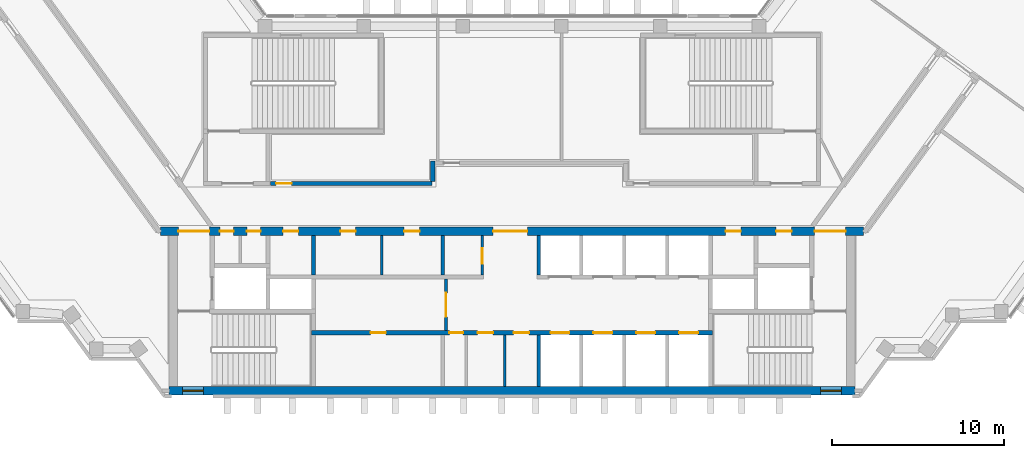
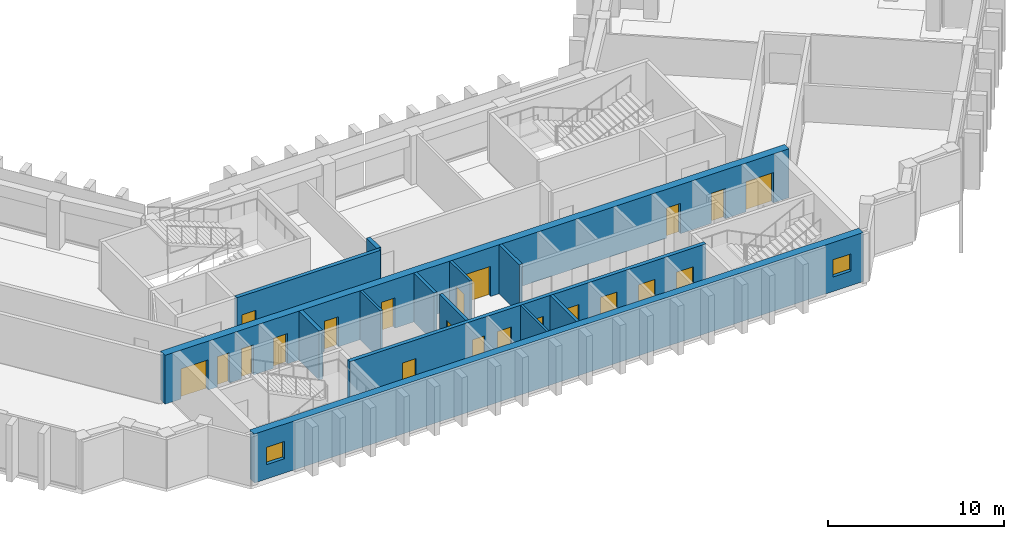
# One storey, part 5 of 9: 21 doors, 13 walls, 2 windows, 23 openings.
"""IFC4 building model written with IfcOpenShell, lengths in metres."""

from ifc_helpers import new_model, si_unit, direction, frame, frame_2d, origin, place, context, subcontext, project, spatial, rectangle, extrude, material, layer, layer_set, type_object, element, fill, save


model = new_model("IFC4")

# Units and contexts
model_context = context("Model", 3, precision=1e-05, world=origin(), true_north=direction((0.0, 1.0)))
body_context = subcontext(model_context, "Body", "Model", "MODEL_VIEW")
ifc_project = project(units=[si_unit("LENGTHUNIT", "METRE"), si_unit("AREAUNIT", "SQUARE_METRE"), si_unit("VOLUMEUNIT", "CUBIC_METRE"), si_unit("PLANEANGLEUNIT", "RADIAN"), si_unit("MASSUNIT", "GRAM", prefix="KILO")], contexts=[model_context])

# Site, building, storey
site_placement = place(None, origin())
site = spatial("IfcSite", under=ifc_project, at=site_placement, CompositionType="ELEMENT")
building_placement = place(site_placement, origin())
building = spatial("IfcBuilding", under=site, at=building_placement, Name="Quipu Civic Tower", CompositionType="ELEMENT")
storey_placement = place(building_placement, frame((0.0, 0.0, 238.0)))
storey = spatial("IfcBuildingStorey", under=building, at=storey_placement, Name="L56", CompositionType="ELEMENT", Elevation=238.0)

# Wall, openings, doors
ifc_material_1 = material(Name="Concrete C70/85", Category="concrete")
ifc_layer_1 = layer(ifc_material_1, 0.25)
ifc_layer_set_1 = layer_set([ifc_layer_1], Name="Concrete C70/85")
wall_type_1 = type_object("IfcWallType", Name="Core wall 250", PredefinedType="SHEAR", material=ifc_layer_set_1)
wall_1_placement = place(storey_placement, frame((11.699951171875, -7.375, 0.0), z_axis=(0.0, 0.0, 1.0), x_axis=(-1.0, 0.0, 0.0)))
wall_1 = element("IfcWall", 1, at=wall_1_placement, inside=storey, type_object=wall_type_1, Name="Core wall", PredefinedType="SHEAR", context=body_context, shape_type="SweptSolid", body=[
    extrude(rectangle(XDim=23.39990234375, YDim=0.25, at=frame_2d((11.699951171875, 0.0))), origin(), (0.0, 0.0, 1.0), 3.39990234375),
])
opening_1_placement = place(wall_1_placement, frame((19.050048828125, 0.0, 0.0)))
opening_1 = element("IfcOpeningElement", 2, at=opening_1_placement, cuts=wall_1, Name="Opening CD-01", PredefinedType="OPENING", context=body_context, shape_type="SweptSolid", body=[
    extrude(rectangle(XDim=0.89990234375, YDim=2.10009765625, at=frame_2d((0.449951171875, 1.050048828125))), frame((0.0, 0.135009765625, 0.0), z_axis=(0.0, -1.0, 0.0), x_axis=(1.0, 0.0, 0.0)), (0.0, 0.0, 1.0), 0.27001953125),
])
opening_2_placement = place(wall_1_placement, frame((14.550048828125, 0.0, 0.0)))
opening_2 = element("IfcOpeningElement", 3, at=opening_2_placement, cuts=wall_1, Name="Opening CD-02", PredefinedType="OPENING", context=body_context, shape_type="SweptSolid", body=[
    extrude(rectangle(XDim=0.800048828125, YDim=2.10009765625, at=frame_2d((0.39990234375, 1.050048828125))), frame((0.0, 0.135009765625, 0.0), z_axis=(0.0, -1.0, 0.0), x_axis=(1.0, 0.0, 0.0)), (0.0, 0.0, 1.0), 0.27001953125),
])
opening_3_placement = place(wall_1_placement, frame((12.800048828125, 0.0, 0.0)))
opening_3 = element("IfcOpeningElement", 4, at=opening_3_placement, cuts=wall_1, Name="Opening CD-03", PredefinedType="OPENING", context=body_context, shape_type="SweptSolid", body=[
    extrude(rectangle(XDim=0.89990234375, YDim=2.10009765625, at=frame_2d((0.449951171875, 1.050048828125))), frame((0.0, 0.135009765625, 0.0), z_axis=(0.0, -1.0, 0.0), x_axis=(1.0, 0.0, 0.0)), (0.0, 0.0, 1.0), 0.27001953125),
])
opening_4_placement = place(wall_1_placement, frame((10.699951171875, 0.0, 0.0)))
opening_4 = element("IfcOpeningElement", 5, at=opening_4_placement, cuts=wall_1, Name="Opening CD-04", PredefinedType="OPENING", context=body_context, shape_type="SweptSolid", body=[
    extrude(rectangle(XDim=0.89990234375, YDim=2.10009765625, at=frame_2d((0.449951171875, 1.050048828125))), frame((0.0, 0.135009765625, 0.0), z_axis=(0.0, -1.0, 0.0), x_axis=(1.0, 0.0, 0.0)), (0.0, 0.0, 1.0), 0.27001953125),
])
opening_5_placement = place(wall_1_placement, frame((8.35009765625, 0.0, 0.0)))
opening_5 = element("IfcOpeningElement", 6, at=opening_5_placement, cuts=wall_1, Name="Opening LD-ML1", PredefinedType="OPENING", context=body_context, shape_type="SweptSolid", body=[
    extrude(rectangle(XDim=1.10009765625, YDim=2.10009765625, at=frame_2d((0.550048828125, 1.050048828125))), frame((0.0, 0.135009765625, 0.0), z_axis=(0.0, -1.0, 0.0), x_axis=(1.0, 0.0, 0.0)), (0.0, 0.0, 1.0), 0.27001953125),
])
opening_6_placement = place(wall_1_placement, frame((5.85009765625, 0.0, 0.0)))
opening_6 = element("IfcOpeningElement", 7, at=opening_6_placement, cuts=wall_1, Name="Opening LD-ML2", PredefinedType="OPENING", context=body_context, shape_type="SweptSolid", body=[
    extrude(rectangle(XDim=1.10009765625, YDim=2.10009765625, at=frame_2d((0.550048828125, 1.050048828125))), frame((0.0, 0.135009765625, 0.0), z_axis=(0.0, -1.0, 0.0), x_axis=(1.0, 0.0, 0.0)), (0.0, 0.0, 1.0), 0.27001953125),
])
opening_7_placement = place(wall_1_placement, frame((3.35009765625, 0.0, 0.0)))
opening_7 = element("IfcOpeningElement", 8, at=opening_7_placement, cuts=wall_1, Name="Opening LD-ML3", PredefinedType="OPENING", context=body_context, shape_type="SweptSolid", body=[
    extrude(rectangle(XDim=1.10009765625, YDim=2.10009765625, at=frame_2d((0.550048828125, 1.050048828125))), frame((0.0, 0.135009765625, 0.0), z_axis=(0.0, -1.0, 0.0), x_axis=(1.0, 0.0, 0.0)), (0.0, 0.0, 1.0), 0.27001953125),
])
opening_8_placement = place(wall_1_placement, frame((0.85009765625, 0.0, 0.0)))
opening_8 = element("IfcOpeningElement", 9, at=opening_8_placement, cuts=wall_1, Name="Opening LD-ML4", PredefinedType="OPENING", context=body_context, shape_type="SweptSolid", body=[
    extrude(rectangle(XDim=1.10009765625, YDim=2.10009765625, at=frame_2d((0.550048828125, 1.050048828125))), frame((0.0, 0.135009765625, 0.0), z_axis=(0.0, -1.0, 0.0), x_axis=(1.0, 0.0, 0.0)), (0.0, 0.0, 1.0), 0.27001953125),
])
ifc_material_2 = material(Name="Fire rated steel door", Category="steel")
door_type_1 = type_object("IfcDoorType", Name="Fire door FD60 800 x 2100", OperationType="NOTDEFINED", PredefinedType="DOOR", material=ifc_material_2)
door_1_placement = place(opening_2_placement, origin())
door_1 = element("IfcDoor", 10, at=door_1_placement, inside=storey, type_object=door_type_1, Name="Door", OperationType="SINGLE_SWING_RIGHT", OverallHeight=2.10009765625, OverallWidth=0.800048828125, PredefinedType="DOOR", context=body_context, shape_type="SweptSolid", body=[
    extrude(rectangle(XDim=0.800048828125, YDim=2.10009765625, at=frame_2d((0.39990234375, 1.050048828125))), frame((0.0, 0.02490234375, 0.0), z_axis=(0.0, -1.0, 0.0), x_axis=(1.0, 0.0, 0.0)), (0.0, 0.0, 1.0), 0.050048828125),
])
fill(opening_2, door_1)
ifc_material_3 = material(Name="Fire rated steel door", Category="steel")
door_type_2 = type_object("IfcDoorType", Name="Fire door FD60 900 x 2100", OperationType="NOTDEFINED", PredefinedType="DOOR", material=ifc_material_3)
door_2_placement = place(opening_1_placement, origin())
door_2 = element("IfcDoor", 11, at=door_2_placement, inside=storey, type_object=door_type_2, Name="Door", OperationType="SINGLE_SWING_RIGHT", OverallHeight=2.10009765625, OverallWidth=0.89990234375, PredefinedType="DOOR", context=body_context, shape_type="SweptSolid", body=[
    extrude(rectangle(XDim=0.89990234375, YDim=2.10009765625, at=frame_2d((0.449951171875, 1.050048828125))), frame((0.0, 0.02490234375, 0.0), z_axis=(0.0, -1.0, 0.0), x_axis=(1.0, 0.0, 0.0)), (0.0, 0.0, 1.0), 0.050048828125),
])
fill(opening_1, door_2)
door_3_placement = place(opening_3_placement, origin())
door_3 = element("IfcDoor", 12, at=door_3_placement, inside=storey, type_object=door_type_2, Name="WC door", OperationType="SINGLE_SWING_RIGHT", OverallHeight=2.10009765625, OverallWidth=0.89990234375, PredefinedType="DOOR", context=body_context, shape_type="SweptSolid", body=[
    extrude(rectangle(XDim=0.89990234375, YDim=2.10009765625, at=frame_2d((0.449951171875, 1.050048828125))), frame((0.0, 0.02490234375, 0.0), z_axis=(0.0, -1.0, 0.0), x_axis=(1.0, 0.0, 0.0)), (0.0, 0.0, 1.0), 0.050048828125),
])
fill(opening_3, door_3)
door_4_placement = place(opening_4_placement, origin())
door_4 = element("IfcDoor", 13, at=door_4_placement, inside=storey, type_object=door_type_2, Name="WC door", OperationType="SINGLE_SWING_LEFT", OverallHeight=2.10009765625, OverallWidth=0.89990234375, PredefinedType="DOOR", context=body_context, shape_type="SweptSolid", body=[
    extrude(rectangle(XDim=0.89990234375, YDim=2.10009765625, at=frame_2d((0.449951171875, 1.050048828125))), frame((0.0, 0.02490234375, 0.0), z_axis=(0.0, -1.0, 0.0), x_axis=(1.0, 0.0, 0.0)), (0.0, 0.0, 1.0), 0.050048828125),
])
fill(opening_4, door_4)
ifc_material_4 = material(Name="Stainless steel", Category="steel")
door_type_3 = type_object("IfcDoorType", Name="Lift landing door 1100 x 2100", OperationType="DOUBLE_DOOR_SLIDING", PredefinedType="DOOR", material=ifc_material_4)
door_5_placement = place(opening_5_placement, origin())
door_5 = element("IfcDoor", 14, at=door_5_placement, inside=storey, type_object=door_type_3, Name="Landing door ML1", OperationType="DOUBLE_DOOR_SLIDING", OverallHeight=2.10009765625, OverallWidth=1.10009765625, PredefinedType="DOOR", context=body_context, shape_type="SweptSolid", body=[
    extrude(rectangle(XDim=1.10009765625, YDim=2.10009765625, at=frame_2d((0.550048828125, 1.050048828125))), frame((0.0, 0.02490234375, 0.0), z_axis=(0.0, -1.0, 0.0), x_axis=(1.0, 0.0, 0.0)), (0.0, 0.0, 1.0), 0.050048828125),
])
fill(opening_5, door_5)
door_6_placement = place(opening_6_placement, origin())
door_6 = element("IfcDoor", 15, at=door_6_placement, inside=storey, type_object=door_type_3, Name="Landing door ML2", OperationType="DOUBLE_DOOR_SLIDING", OverallHeight=2.10009765625, OverallWidth=1.10009765625, PredefinedType="DOOR", context=body_context, shape_type="SweptSolid", body=[
    extrude(rectangle(XDim=1.10009765625, YDim=2.10009765625, at=frame_2d((0.550048828125, 1.050048828125))), frame((0.0, 0.02490234375, 0.0), z_axis=(0.0, -1.0, 0.0), x_axis=(1.0, 0.0, 0.0)), (0.0, 0.0, 1.0), 0.050048828125),
])
fill(opening_6, door_6)
door_7_placement = place(opening_7_placement, origin())
door_7 = element("IfcDoor", 16, at=door_7_placement, inside=storey, type_object=door_type_3, Name="Landing door ML3", OperationType="DOUBLE_DOOR_SLIDING", OverallHeight=2.10009765625, OverallWidth=1.10009765625, PredefinedType="DOOR", context=body_context, shape_type="SweptSolid", body=[
    extrude(rectangle(XDim=1.10009765625, YDim=2.10009765625, at=frame_2d((0.550048828125, 1.050048828125))), frame((0.0, 0.02490234375, 0.0), z_axis=(0.0, -1.0, 0.0), x_axis=(1.0, 0.0, 0.0)), (0.0, 0.0, 1.0), 0.050048828125),
])
fill(opening_7, door_7)
door_8_placement = place(opening_8_placement, origin())
door_8 = element("IfcDoor", 17, at=door_8_placement, inside=storey, type_object=door_type_3, Name="Landing door ML4", OperationType="DOUBLE_DOOR_SLIDING", OverallHeight=2.10009765625, OverallWidth=1.10009765625, PredefinedType="DOOR", context=body_context, shape_type="SweptSolid", body=[
    extrude(rectangle(XDim=1.10009765625, YDim=2.10009765625, at=frame_2d((0.550048828125, 1.050048828125))), frame((0.0, 0.02490234375, 0.0), z_axis=(0.0, -1.0, 0.0), x_axis=(1.0, 0.0, 0.0)), (0.0, 0.0, 1.0), 0.050048828125),
])
fill(opening_8, door_8)

# Wall
wall_2_placement = place(storey_placement, frame((-11.574951171875, -4.0, 0.0), z_axis=(0.0, 0.0, 1.0), x_axis=(0.0, 1.0, 0.0)))
element("IfcWall", 18, at=wall_2_placement, inside=storey, type_object=wall_type_1, Name="Core wall", PredefinedType="SHEAR", context=body_context, shape_type="SweptSolid", body=[
    extrude(rectangle(XDim=2.300048828125, YDim=0.25, at=frame_2d((1.14990234375, 0.0))), origin(), (0.0, 0.0, 1.0), 3.39990234375),
])

# Wall, openings, windows
ifc_material_5 = material(Name="Concrete C70/85", Category="concrete")
ifc_layer_2 = layer(ifc_material_5, 0.5)
ifc_layer_set_2 = layer_set([ifc_layer_2], Name="Concrete C70/85")
wall_type_2 = type_object("IfcWallType", Name="Core wall 500", PredefinedType="SHEAR", material=ifc_layer_set_2)
wall_3_placement = place(storey_placement, frame((-20.0, -10.75, 0.0), z_axis=(0.0, 0.0, 1.0), x_axis=(1.0, 0.0, 0.0)))
wall_3 = element("IfcWall", 19, at=wall_3_placement, inside=storey, type_object=wall_type_2, Name="Core wall", PredefinedType="SHEAR", context=body_context, shape_type="SweptSolid", body=[
    extrude(rectangle(XDim=40.0, YDim=0.5, at=frame_2d((20.0, 0.0))), origin(), (0.0, 0.0, 1.0), 3.39990234375),
])
opening_9_placement = place(wall_3_placement, frame((0.800048828125, 0.0, 1.0)))
opening_9 = element("IfcOpeningElement", 20, at=opening_9_placement, cuts=wall_3, Name="Opening SV-1", PredefinedType="OPENING", context=body_context, shape_type="SweptSolid", body=[
    extrude(rectangle(XDim=1.199951171875, YDim=1.199951171875, at=frame_2d((0.60009765625, 0.60009765625))), frame((0.0, 0.260009765625, 0.0), z_axis=(0.0, -1.0, 0.0), x_axis=(1.0, 0.0, 0.0)), (0.0, 0.0, 1.0), 0.52001953125),
])
opening_10_placement = place(wall_3_placement, frame((38.0, 0.0, 1.0)))
opening_10 = element("IfcOpeningElement", 21, at=opening_10_placement, cuts=wall_3, Name="Opening SV-2", PredefinedType="OPENING", context=body_context, shape_type="SweptSolid", body=[
    extrude(rectangle(XDim=1.199951171875, YDim=1.199951171875, at=frame_2d((0.60009765625, 0.60009765625))), frame((0.0, 0.260009765625, 0.0), z_axis=(0.0, -1.0, 0.0), x_axis=(1.0, 0.0, 0.0)), (0.0, 0.0, 1.0), 0.52001953125),
])
ifc_material_6 = material(Name="Aluminium louvre", Category="aluminium")
window_type = type_object("IfcWindowType", Name="Stair ventilation louvre 1200 x 1200", PartitioningType="SINGLE_PANEL", PredefinedType="WINDOW", material=ifc_material_6)
window_1_placement = place(opening_9_placement, origin())
window_1 = element("IfcWindow", 22, at=window_1_placement, inside=storey, type_object=window_type, Name="Stair ventilation opening", OverallHeight=1.199951171875, OverallWidth=1.199951171875, PartitioningType="SINGLE_PANEL", PredefinedType="WINDOW", context=body_context, shape_type="SweptSolid", body=[
    extrude(rectangle(XDim=1.199951171875, YDim=1.199951171875, at=frame_2d((0.60009765625, 0.60009765625))), frame((0.0, 0.030029296875, 0.0), z_axis=(0.0, -1.0, 0.0), x_axis=(1.0, 0.0, 0.0)), (0.0, 0.0, 1.0), 0.06005859375),
])
fill(opening_9, window_1)
window_2_placement = place(opening_10_placement, origin())
window_2 = element("IfcWindow", 23, at=window_2_placement, inside=storey, type_object=window_type, Name="Stair ventilation opening", OverallHeight=1.199951171875, OverallWidth=1.199951171875, PartitioningType="SINGLE_PANEL", PredefinedType="WINDOW", context=body_context, shape_type="SweptSolid", body=[
    extrude(rectangle(XDim=1.199951171875, YDim=1.199951171875, at=frame_2d((0.60009765625, 0.60009765625))), frame((0.0, 0.030029296875, 0.0), z_axis=(0.0, -1.0, 0.0), x_axis=(1.0, 0.0, 0.0)), (0.0, 0.0, 1.0), 0.06005859375),
])
fill(opening_10, window_2)

# Wall, openings, doors
wall_4_placement = place(storey_placement, frame((20.489990234375, -1.449951171875, 0.0), z_axis=(0.0, 0.0, 1.0), x_axis=(-1.0, 0.0, 0.0)))
wall_4 = element("IfcWall", 24, at=wall_4_placement, inside=storey, type_object=wall_type_2, Name="Core wall", PredefinedType="SHEAR", context=body_context, shape_type="SweptSolid", body=[
    extrude(rectangle(XDim=40.97998046875, YDim=0.5, at=frame_2d((20.489990234375, 0.0))), origin(), (0.0, 0.0, 1.0), 3.39990234375),
])
opening_11_placement = place(wall_4_placement, frame((38.139892578125, 0.0, 0.0)))
opening_11 = element("IfcOpeningElement", 25, at=opening_11_placement, cuts=wall_4, Name="Opening CD-09", PredefinedType="OPENING", context=body_context, shape_type="SweptSolid", body=[
    extrude(rectangle(XDim=1.800048828125, YDim=2.10009765625, at=frame_2d((0.89990234375, 1.050048828125))), frame((0.0, 0.260009765625, 0.0), z_axis=(0.0, -1.0, 0.0), x_axis=(1.0, 0.0, 0.0)), (0.0, 0.0, 1.0), 0.52001953125),
])
opening_12_placement = place(wall_4_placement, frame((36.7275390625, 0.0, 0.0)))
opening_12 = element("IfcOpeningElement", 26, at=opening_12_placement, cuts=wall_4, Name="Opening CD-10", PredefinedType="OPENING", context=body_context, shape_type="SweptSolid", body=[
    extrude(rectangle(XDim=0.800048828125, YDim=2.10009765625, at=frame_2d((0.39990234375, 1.050048828125))), frame((0.0, 0.260009765625, 0.0), z_axis=(0.0, -1.0, 0.0), x_axis=(1.0, 0.0, 0.0)), (0.0, 0.0, 1.0), 0.52001953125),
])
opening_13_placement = place(wall_4_placement, frame((35.152587890625, 0.0, 0.0)))
opening_13 = element("IfcOpeningElement", 27, at=opening_13_placement, cuts=wall_4, Name="Opening CD-11", PredefinedType="OPENING", context=body_context, shape_type="SweptSolid", body=[
    extrude(rectangle(XDim=0.800048828125, YDim=2.10009765625, at=frame_2d((0.39990234375, 1.050048828125))), frame((0.0, 0.260009765625, 0.0), z_axis=(0.0, -1.0, 0.0), x_axis=(1.0, 0.0, 0.0)), (0.0, 0.0, 1.0), 0.52001953125),
])
opening_14_placement = place(wall_4_placement, frame((32.93994140625, 0.0, 0.0)))
opening_14 = element("IfcOpeningElement", 28, at=opening_14_placement, cuts=wall_4, Name="Opening CD-12", PredefinedType="OPENING", context=body_context, shape_type="SweptSolid", body=[
    extrude(rectangle(XDim=0.89990234375, YDim=2.10009765625, at=frame_2d((0.449951171875, 1.050048828125))), frame((0.0, 0.260009765625, 0.0), z_axis=(0.0, -1.0, 0.0), x_axis=(1.0, 0.0, 0.0)), (0.0, 0.0, 1.0), 0.52001953125),
])
opening_15_placement = place(wall_4_placement, frame((29.6025390625, 0.0, 0.0)))
opening_15 = element("IfcOpeningElement", 29, at=opening_15_placement, cuts=wall_4, Name="Opening CD-13", PredefinedType="OPENING", context=body_context, shape_type="SweptSolid", body=[
    extrude(rectangle(XDim=0.89990234375, YDim=2.10009765625, at=frame_2d((0.449951171875, 1.050048828125))), frame((0.0, 0.260009765625, 0.0), z_axis=(0.0, -1.0, 0.0), x_axis=(1.0, 0.0, 0.0)), (0.0, 0.0, 1.0), 0.52001953125),
])
opening_16_placement = place(wall_4_placement, frame((25.87744140625, 0.0, 0.0)))
opening_16 = element("IfcOpeningElement", 30, at=opening_16_placement, cuts=wall_4, Name="Opening CD-14", PredefinedType="OPENING", context=body_context, shape_type="SweptSolid", body=[
    extrude(rectangle(XDim=0.89990234375, YDim=2.10009765625, at=frame_2d((0.449951171875, 1.050048828125))), frame((0.0, 0.260009765625, 0.0), z_axis=(0.0, -1.0, 0.0), x_axis=(1.0, 0.0, 0.0)), (0.0, 0.0, 1.0), 0.52001953125),
])
opening_17_placement = place(wall_4_placement, frame((19.590087890625, 0.0, 0.0)))
opening_17 = element("IfcOpeningElement", 31, at=opening_17_placement, cuts=wall_4, Name="Opening CD-15", PredefinedType="OPENING", context=body_context, shape_type="SweptSolid", body=[
    extrude(rectangle(XDim=2.0, YDim=2.10009765625, at=frame_2d((1.0, 1.050048828125))), frame((0.0, 0.260009765625, 0.0), z_axis=(0.0, -1.0, 0.0), x_axis=(1.0, 0.0, 0.0)), (0.0, 0.0, 1.0), 0.52001953125),
])
opening_18_placement = place(wall_4_placement, frame((7.139892578125, 0.0, 0.0)))
opening_18 = element("IfcOpeningElement", 32, at=opening_18_placement, cuts=wall_4, Name="Opening CD-16", PredefinedType="OPENING", context=body_context, shape_type="SweptSolid", body=[
    extrude(rectangle(XDim=0.89990234375, YDim=2.10009765625, at=frame_2d((0.449951171875, 1.050048828125))), frame((0.0, 0.260009765625, 0.0), z_axis=(0.0, -1.0, 0.0), x_axis=(1.0, 0.0, 0.0)), (0.0, 0.0, 1.0), 0.52001953125),
])
opening_19_placement = place(wall_4_placement, frame((4.18994140625, 0.0, 0.0)))
opening_19 = element("IfcOpeningElement", 33, at=opening_19_placement, cuts=wall_4, Name="Opening CD-17", PredefinedType="OPENING", context=body_context, shape_type="SweptSolid", body=[
    extrude(rectangle(XDim=0.89990234375, YDim=2.10009765625, at=frame_2d((0.449951171875, 1.050048828125))), frame((0.0, 0.260009765625, 0.0), z_axis=(0.0, -1.0, 0.0), x_axis=(1.0, 0.0, 0.0)), (0.0, 0.0, 1.0), 0.52001953125),
])
opening_20_placement = place(wall_4_placement, frame((1.0400390625, 0.0, 0.0)))
opening_20 = element("IfcOpeningElement", 34, at=opening_20_placement, cuts=wall_4, Name="Opening CD-18", PredefinedType="OPENING", context=body_context, shape_type="SweptSolid", body=[
    extrude(rectangle(XDim=1.800048828125, YDim=2.10009765625, at=frame_2d((0.89990234375, 1.050048828125))), frame((0.0, 0.260009765625, 0.0), z_axis=(0.0, -1.0, 0.0), x_axis=(1.0, 0.0, 0.0)), (0.0, 0.0, 1.0), 0.52001953125),
])
door_9_placement = place(opening_12_placement, origin())
door_9 = element("IfcDoor", 35, at=door_9_placement, inside=storey, type_object=door_type_1, Name="Door", OperationType="SINGLE_SWING_RIGHT", OverallHeight=2.10009765625, OverallWidth=0.800048828125, PredefinedType="DOOR", context=body_context, shape_type="SweptSolid", body=[
    extrude(rectangle(XDim=0.800048828125, YDim=2.10009765625, at=frame_2d((0.39990234375, 1.050048828125))), frame((0.0, 0.02490234375, 0.0), z_axis=(0.0, -1.0, 0.0), x_axis=(1.0, 0.0, 0.0)), (0.0, 0.0, 1.0), 0.050048828125),
])
fill(opening_12, door_9)
door_10_placement = place(opening_13_placement, origin())
door_10 = element("IfcDoor", 36, at=door_10_placement, inside=storey, type_object=door_type_1, Name="Door", OperationType="SINGLE_SWING_RIGHT", OverallHeight=2.10009765625, OverallWidth=0.800048828125, PredefinedType="DOOR", context=body_context, shape_type="SweptSolid", body=[
    extrude(rectangle(XDim=0.800048828125, YDim=2.10009765625, at=frame_2d((0.39990234375, 1.050048828125))), frame((0.0, 0.02490234375, 0.0), z_axis=(0.0, -1.0, 0.0), x_axis=(1.0, 0.0, 0.0)), (0.0, 0.0, 1.0), 0.050048828125),
])
fill(opening_13, door_10)
door_11_placement = place(opening_14_placement, origin())
door_11 = element("IfcDoor", 37, at=door_11_placement, inside=storey, type_object=door_type_2, Name="Riser door", OperationType="SINGLE_SWING_RIGHT", OverallHeight=2.10009765625, OverallWidth=0.89990234375, PredefinedType="DOOR", context=body_context, shape_type="SweptSolid", body=[
    extrude(rectangle(XDim=0.89990234375, YDim=2.10009765625, at=frame_2d((0.449951171875, 1.050048828125))), frame((0.0, 0.02490234375, 0.0), z_axis=(0.0, -1.0, 0.0), x_axis=(1.0, 0.0, 0.0)), (0.0, 0.0, 1.0), 0.050048828125),
])
fill(opening_14, door_11)
door_12_placement = place(opening_15_placement, origin())
door_12 = element("IfcDoor", 38, at=door_12_placement, inside=storey, type_object=door_type_2, Name="Door", OperationType="SINGLE_SWING_RIGHT", OverallHeight=2.10009765625, OverallWidth=0.89990234375, PredefinedType="DOOR", context=body_context, shape_type="SweptSolid", body=[
    extrude(rectangle(XDim=0.89990234375, YDim=2.10009765625, at=frame_2d((0.449951171875, 1.050048828125))), frame((0.0, 0.02490234375, 0.0), z_axis=(0.0, -1.0, 0.0), x_axis=(1.0, 0.0, 0.0)), (0.0, 0.0, 1.0), 0.050048828125),
])
fill(opening_15, door_12)
door_13_placement = place(opening_16_placement, origin())
door_13 = element("IfcDoor", 39, at=door_13_placement, inside=storey, type_object=door_type_2, Name="Door", OperationType="SINGLE_SWING_RIGHT", OverallHeight=2.10009765625, OverallWidth=0.89990234375, PredefinedType="DOOR", context=body_context, shape_type="SweptSolid", body=[
    extrude(rectangle(XDim=0.89990234375, YDim=2.10009765625, at=frame_2d((0.449951171875, 1.050048828125))), frame((0.0, 0.02490234375, 0.0), z_axis=(0.0, -1.0, 0.0), x_axis=(1.0, 0.0, 0.0)), (0.0, 0.0, 1.0), 0.050048828125),
])
fill(opening_16, door_13)
door_14_placement = place(opening_18_placement, origin())
door_14 = element("IfcDoor", 40, at=door_14_placement, inside=storey, type_object=door_type_2, Name="Riser door", OperationType="SINGLE_SWING_LEFT", OverallHeight=2.10009765625, OverallWidth=0.89990234375, PredefinedType="DOOR", context=body_context, shape_type="SweptSolid", body=[
    extrude(rectangle(XDim=0.89990234375, YDim=2.10009765625, at=frame_2d((0.449951171875, 1.050048828125))), frame((0.0, 0.02490234375, 0.0), z_axis=(0.0, -1.0, 0.0), x_axis=(1.0, 0.0, 0.0)), (0.0, 0.0, 1.0), 0.050048828125),
])
fill(opening_18, door_14)
door_15_placement = place(opening_19_placement, origin())
door_15 = element("IfcDoor", 41, at=door_15_placement, inside=storey, type_object=door_type_2, Name="Door", OperationType="SINGLE_SWING_LEFT", OverallHeight=2.10009765625, OverallWidth=0.89990234375, PredefinedType="DOOR", context=body_context, shape_type="SweptSolid", body=[
    extrude(rectangle(XDim=0.89990234375, YDim=2.10009765625, at=frame_2d((0.449951171875, 1.050048828125))), frame((0.0, 0.02490234375, 0.0), z_axis=(0.0, -1.0, 0.0), x_axis=(1.0, 0.0, 0.0)), (0.0, 0.0, 1.0), 0.050048828125),
])
fill(opening_19, door_15)
ifc_material_7 = material(Name="Fire rated steel door", Category="steel")
door_type_4 = type_object("IfcDoorType", Name="Fire door FD90 double 1800 x 2100", OperationType="NOTDEFINED", PredefinedType="DOOR", material=ifc_material_7)
door_16_placement = place(opening_11_placement, origin())
door_16 = element("IfcDoor", 42, at=door_16_placement, inside=storey, type_object=door_type_4, Name="Lobby door", OperationType="DOUBLE_DOOR_SINGLE_SWING", OverallHeight=2.10009765625, OverallWidth=1.800048828125, PredefinedType="DOOR", context=body_context, shape_type="SweptSolid", body=[
    extrude(rectangle(XDim=1.800048828125, YDim=2.10009765625, at=frame_2d((0.89990234375, 1.050048828125))), frame((0.0, 0.02490234375, 0.0), z_axis=(0.0, -1.0, 0.0), x_axis=(1.0, 0.0, 0.0)), (0.0, 0.0, 1.0), 0.050048828125),
])
fill(opening_11, door_16)
door_17_placement = place(opening_20_placement, origin())
door_17 = element("IfcDoor", 43, at=door_17_placement, inside=storey, type_object=door_type_4, Name="Lobby door", OperationType="DOUBLE_DOOR_SINGLE_SWING", OverallHeight=2.10009765625, OverallWidth=1.800048828125, PredefinedType="DOOR", context=body_context, shape_type="SweptSolid", body=[
    extrude(rectangle(XDim=1.800048828125, YDim=2.10009765625, at=frame_2d((0.89990234375, 1.050048828125))), frame((0.0, 0.02490234375, 0.0), z_axis=(0.0, -1.0, 0.0), x_axis=(1.0, 0.0, 0.0)), (0.0, 0.0, 1.0), 0.050048828125),
])
fill(opening_20, door_17)
ifc_material_8 = material(Name="Fire rated steel door", Category="steel")
door_type_5 = type_object("IfcDoorType", Name="Fire door FD90 double 2000 x 2100", OperationType="NOTDEFINED", PredefinedType="DOOR", material=ifc_material_8)
door_18_placement = place(opening_17_placement, origin())
door_18 = element("IfcDoor", 44, at=door_18_placement, inside=storey, type_object=door_type_5, Name="Lobby door", OperationType="DOUBLE_DOOR_SINGLE_SWING", OverallHeight=2.10009765625, OverallWidth=2.0, PredefinedType="DOOR", context=body_context, shape_type="SweptSolid", body=[
    extrude(rectangle(XDim=2.0, YDim=2.10009765625, at=frame_2d((1.0, 1.050048828125))), frame((0.0, 0.02490234375, 0.0), z_axis=(0.0, -1.0, 0.0), x_axis=(1.0, 0.0, 0.0)), (0.0, 0.0, 1.0), 0.050048828125),
])
fill(opening_17, door_18)

# Wall, opening, door
ifc_material_9 = material(Name="Concrete C50/60", Category="concrete")
ifc_layer_3 = layer(ifc_material_9, 0.25)
ifc_layer_set_3 = layer_set([ifc_layer_3], Name="Concrete C50/60")
wall_type_3 = type_object("IfcWallType", Name="Corridor wall 250 concrete", PredefinedType="SOLIDWALL", material=ifc_layer_set_3)
wall_5_placement = place(storey_placement, frame((-14.090087890625, 1.324951171875, 0.0), z_axis=(0.0, 0.0, 1.0), x_axis=(1.0, 0.0, 0.0)))
wall_5 = element("IfcWall", 45, at=wall_5_placement, inside=storey, type_object=wall_type_3, Name="Corridor wall C07", PredefinedType="SOLIDWALL", context=body_context, shape_type="SweptSolid", body=[
    extrude(rectangle(XDim=9.431396484375, YDim=0.25, at=frame_2d((4.7158203125, 0.0))), origin(), (0.0, 0.0, 1.0), 3.39990234375),
])
opening_21_placement = place(wall_5_placement, frame((0.340087890625, 0.0, 0.0)))
opening_21 = element("IfcOpeningElement", 46, at=opening_21_placement, cuts=wall_5, Name="Opening D005", PredefinedType="OPENING", context=body_context, shape_type="SweptSolid", body=[
    extrude(rectangle(XDim=0.89990234375, YDim=2.10009765625, at=frame_2d((0.449951171875, 1.050048828125))), frame((0.0, 0.135009765625, 0.0), z_axis=(0.0, -1.0, 0.0), x_axis=(1.0, 0.0, 0.0)), (0.0, 0.0, 1.0), 0.27001953125),
])
ifc_material_10 = material(Name="Fire rated timber door set with metal frame", Category="wood")
door_type_6 = type_object("IfcDoorType", Name="Single door 900 x 2100 FD60", OperationType="NOTDEFINED", PredefinedType="DOOR", material=ifc_material_10)
door_19_placement = place(opening_21_placement, origin())
door_19 = element("IfcDoor", 47, at=door_19_placement, inside=storey, type_object=door_type_6, Name="Door D005", OperationType="SINGLE_SWING_LEFT", OverallHeight=2.10009765625, OverallWidth=0.89990234375, PredefinedType="DOOR", context=body_context, shape_type="SweptSolid", body=[
    extrude(rectangle(XDim=0.89990234375, YDim=2.10009765625, at=frame_2d((0.449951171875, 1.050048828125))), frame((0.0, 0.02490234375, 0.0), z_axis=(0.0, -1.0, 0.0), x_axis=(1.0, 0.0, 0.0)), (0.0, 0.0, 1.0), 0.050048828125),
])
fill(opening_21, door_19)

# Walls
wall_6_placement = place(storey_placement, frame((-4.625, 1.45361328125, 0.0), z_axis=(0.0, 0.0, 1.0), x_axis=(0.0, 1.0, 0.0)))
element("IfcWall", 48, at=wall_6_placement, inside=storey, type_object=wall_type_3, Name="Corridor wall C08", PredefinedType="SOLIDWALL", context=body_context, shape_type="SweptSolid", body=[
    extrude(rectangle(XDim=1.1962890625, YDim=0.25, at=frame_2d((0.59814453125, 0.0))), origin(), (0.0, 0.0, 1.0), 3.39990234375),
])
ifc_material_11 = material(Name="Gypsum board partition")
ifc_layer_4 = layer(ifc_material_11, 0.14990234375)
ifc_layer_set_4 = layer_set([ifc_layer_4], Name="Gypsum board partition")
wall_type_4 = type_object("IfcWallType", Name="Partition 150", PredefinedType="PARTITIONING", material=ifc_layer_set_4)
wall_7_placement = place(storey_placement, frame((-0.425048828125, -10.5, 0.0), z_axis=(0.0, 0.0, 1.0), x_axis=(0.0, 1.0, 0.0)))
element("IfcWall", 49, at=wall_7_placement, inside=storey, type_object=wall_type_4, Name="Partition", PredefinedType="PARTITIONING", context=body_context, shape_type="SweptSolid", body=[
    extrude(rectangle(XDim=3.0, YDim=0.14990234375, at=frame_2d((1.5, 0.0))), origin(), (0.0, 0.0, 1.0), 3.39990234375),
])
wall_8_placement = place(storey_placement, frame((-7.60009765625, -4.0, 0.0), z_axis=(0.0, 0.0, 1.0), x_axis=(0.0, 1.0, 0.0)))
element("IfcWall", 50, at=wall_8_placement, inside=storey, type_object=wall_type_4, Name="Partition", PredefinedType="PARTITIONING", context=body_context, shape_type="SweptSolid", body=[
    extrude(rectangle(XDim=2.300048828125, YDim=0.14990234375, at=frame_2d((1.14990234375, 0.0))), origin(), (0.0, 0.0, 1.0), 3.39990234375),
])

# Wall, opening, door
wall_9_placement = place(storey_placement, frame((-1.72509765625, -1.699951171875, 0.0), z_axis=(0.0, 0.0, 1.0), x_axis=(0.0, -1.0, 0.0)))
wall_9 = element("IfcWall", 51, at=wall_9_placement, inside=storey, type_object=wall_type_4, Name="Partition", PredefinedType="PARTITIONING", context=body_context, shape_type="SweptSolid", body=[
    extrude(rectangle(XDim=2.300048828125, YDim=0.14990234375, at=frame_2d((1.14990234375, 0.0))), origin(), (0.0, 0.0, 1.0), 3.39990234375),
])
opening_22_placement = place(wall_9_placement, frame((0.75, 0.0, 0.0)))
opening_22 = element("IfcOpeningElement", 52, at=opening_22_placement, cuts=wall_9, Name="Opening CD-08", PredefinedType="OPENING", context=body_context, shape_type="SweptSolid", body=[
    extrude(rectangle(XDim=0.89990234375, YDim=2.10009765625, at=frame_2d((0.449951171875, 1.050048828125))), frame((0.0, 0.0849609375, 0.0), z_axis=(0.0, -1.0, 0.0), x_axis=(1.0, 0.0, 0.0)), (0.0, 0.0, 1.0), 0.169921875),
])
door_20_placement = place(opening_22_placement, origin())
door_20 = element("IfcDoor", 53, at=door_20_placement, inside=storey, type_object=door_type_2, Name="WC door", OperationType="SINGLE_SWING_RIGHT", OverallHeight=2.10009765625, OverallWidth=0.89990234375, PredefinedType="DOOR", context=body_context, shape_type="SweptSolid", body=[
    extrude(rectangle(XDim=0.89990234375, YDim=2.10009765625, at=frame_2d((0.449951171875, 1.050048828125))), frame((0.0, 0.02490234375, 0.0), z_axis=(0.0, -1.0, 0.0), x_axis=(1.0, 0.0, 0.0)), (0.0, 0.0, 1.0), 0.050048828125),
])
fill(opening_22, door_20)

# Wall
ifc_material_12 = material(Name="Concrete C40/50", Category="concrete")
ifc_layer_5 = layer(ifc_material_12, 0.199951171875)
ifc_layer_set_5 = layer_set([ifc_layer_5], Name="Concrete C40/50")
wall_type_5 = type_object("IfcWallType", Name="Shaft wall 200", PredefinedType="SOLIDWALL", material=ifc_layer_set_5)
wall_10_placement = place(storey_placement, frame((1.550048828125, -10.5, 0.0), z_axis=(0.0, 0.0, 1.0), x_axis=(0.0, 1.0, 0.0)))
element("IfcWall", 54, at=wall_10_placement, inside=storey, type_object=wall_type_5, Name="Shaft wall", PredefinedType="SOLIDWALL", context=body_context, shape_type="SweptSolid", body=[
    extrude(rectangle(XDim=3.0, YDim=0.199951171875, at=frame_2d((1.5, 0.0))), origin(), (0.0, 0.0, 1.0), 3.39990234375),
])

# Wall, opening, door
wall_11_placement = place(storey_placement, frame((-3.85009765625, -4.25, 0.0), z_axis=(0.0, 0.0, 1.0), x_axis=(0.0, -1.0, 0.0)))
wall_11 = element("IfcWall", 55, at=wall_11_placement, inside=storey, type_object=wall_type_5, Name="Shaft wall", PredefinedType="SOLIDWALL", context=body_context, shape_type="SweptSolid", body=[
    extrude(rectangle(XDim=3.0, YDim=0.199951171875, at=frame_2d((1.5, 0.0))), origin(), (0.0, 0.0, 1.0), 3.39990234375),
])
opening_23_placement = place(wall_11_placement, frame((0.800048828125, 0.0, 0.0)))
opening_23 = element("IfcOpeningElement", 56, at=opening_23_placement, cuts=wall_11, Name="Opening CD-07", PredefinedType="OPENING", context=body_context, shape_type="SweptSolid", body=[
    extrude(rectangle(XDim=1.39990234375, YDim=2.10009765625, at=frame_2d((0.699951171875, 1.050048828125))), frame((0.0, 0.10986328125, 0.0), z_axis=(0.0, -1.0, 0.0), x_axis=(1.0, 0.0, 0.0)), (0.0, 0.0, 1.0), 0.219970703125),
])
ifc_material_13 = material(Name="Fire rated steel door", Category="steel")
door_type_7 = type_object("IfcDoorType", Name="Fire door FD60 double 1400 x 2100", OperationType="NOTDEFINED", PredefinedType="DOOR", material=ifc_material_13)
door_21_placement = place(opening_23_placement, origin())
door_21 = element("IfcDoor", 57, at=door_21_placement, inside=storey, type_object=door_type_7, Name="Hall door", OperationType="DOUBLE_DOOR_SINGLE_SWING", OverallHeight=2.10009765625, OverallWidth=1.39990234375, PredefinedType="DOOR", context=body_context, shape_type="SweptSolid", body=[
    extrude(rectangle(XDim=1.39990234375, YDim=2.10009765625, at=frame_2d((0.699951171875, 1.050048828125))), frame((0.0, 0.02490234375, 0.0), z_axis=(0.0, -1.0, 0.0), x_axis=(1.0, 0.0, 0.0)), (0.0, 0.0, 1.0), 0.050048828125),
])
fill(opening_23, door_21)

# Walls
for number, where, z_axis, x_axis, name in (
    (58, (-4.050048828125, -4.0, 0.0), (0.0, 0.0, 1.0), (0.0, 1.0, 0.0), "Shaft wall"),
    (59, (1.550048828125, -4.0, 0.0), (0.0, 0.0, 1.0), (0.0, 1.0, 0.0), "Shaft wall"),
):
    element("IfcWall", number, at=place(storey_placement, frame(where, z_axis=z_axis, x_axis=x_axis)), inside=storey, type_object=wall_type_5, Name=name, PredefinedType="SOLIDWALL", context=body_context, shape_type="SweptSolid", body=[
        extrude(rectangle(XDim=2.300048828125, YDim=0.199951171875, at=frame_2d((1.14990234375, 0.0))), origin(), (0.0, 0.0, 1.0), 3.39990234375),
    ])

save(model, "model.ifc")
